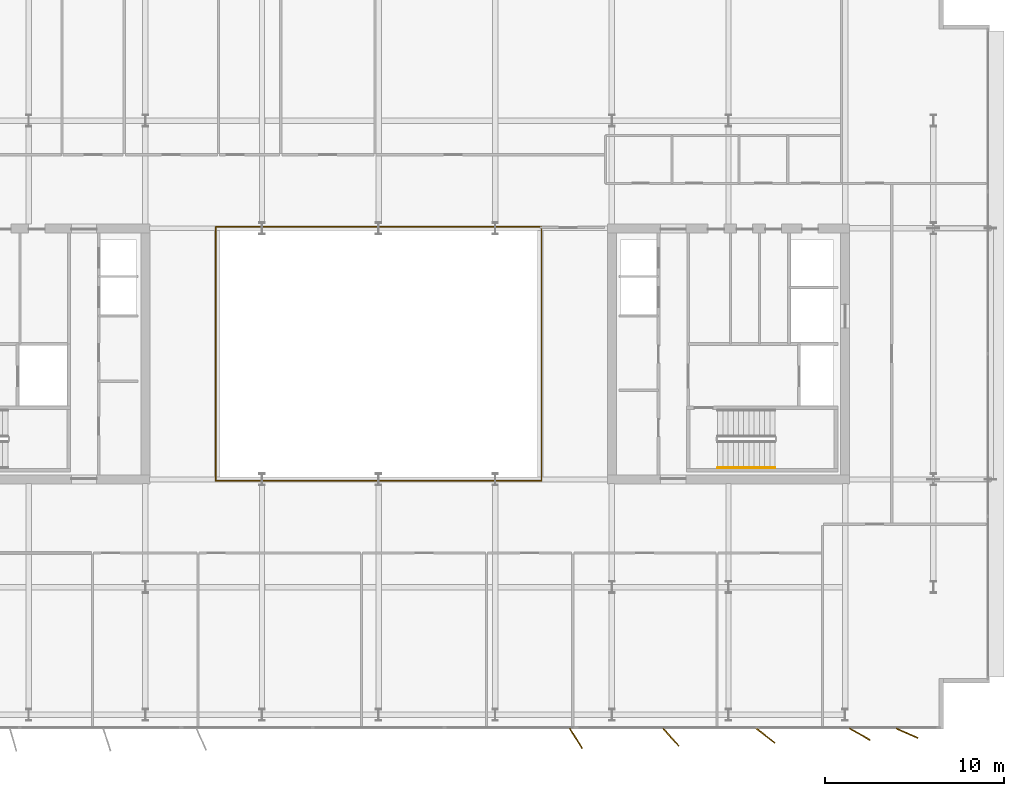
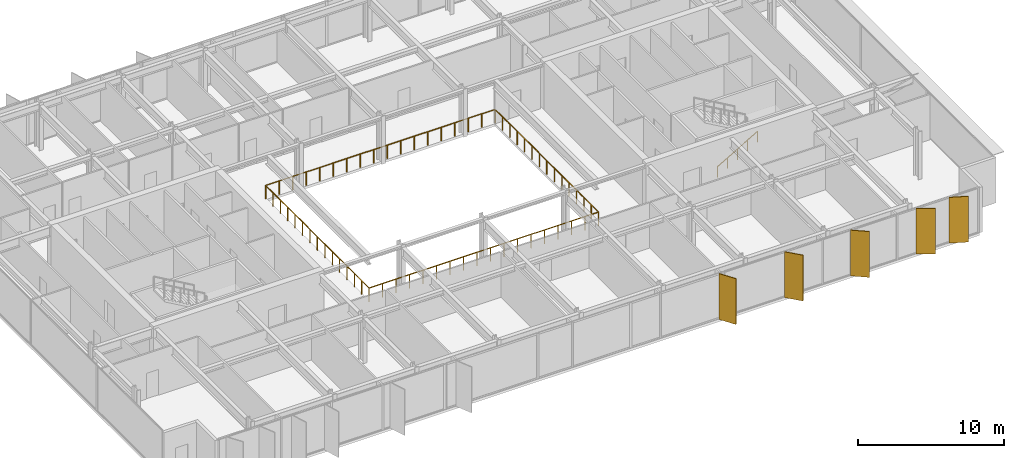
# One storey, part 18 of 20: 5 shading devices, 3 railings.
"""IFC4 building model written with IfcOpenShell, lengths in metres."""

from ifc_helpers import new_model, si_unit, direction, frame, origin, origin_2d, place, context, subcontext, project, spatial, rectangle, circle, extrude, material, layer, layer_set, type_object, element, save


model = new_model("IFC4")

# Units and contexts
model_context = context("Model", 3, precision=1e-05, world=origin(), true_north=direction((0.0, 1.0)))
body_context = subcontext(model_context, "Body", "Model", "MODEL_VIEW")
ifc_project = project(units=[si_unit("LENGTHUNIT", "METRE"), si_unit("AREAUNIT", "SQUARE_METRE"), si_unit("VOLUMEUNIT", "CUBIC_METRE"), si_unit("PLANEANGLEUNIT", "RADIAN"), si_unit("MASSUNIT", "GRAM", prefix="KILO")], contexts=[model_context])

# Site, building, storey
site_placement = place(None, origin())
site = spatial("IfcSite", under=ifc_project, at=site_placement, CompositionType="ELEMENT")
building_placement = place(site_placement, origin())
building = spatial("IfcBuilding", under=site, at=building_placement, Name="Putna Gate Headquarters", CompositionType="ELEMENT")
storey_placement = place(building_placement, frame((0.0, 0.0, 286.39990234375)))
storey = spatial("IfcBuildingStorey", under=building, at=storey_placement, Name="L72", CompositionType="ELEMENT", Elevation=286.39990234375)

# Railings
ifc_material_1 = material(Name="Anodised bronze and laminated glass atrium balustrade", Category="glass")
railing_type_1 = type_object("IfcRailingType", Name="RAIL-ATRIUM-GUARD-1150", PredefinedType="GUARDRAIL", material=ifc_material_1)
railing_1_placement = place(storey_placement, frame((29.919921875, 25.969970703125, 0.0)))
element("IfcRailing", 1, at=railing_1_placement, inside=storey, type_object=railing_type_1, Name="L72 Central Atrium Glazed Balustrade South", PredefinedType="GUARDRAIL", context=body_context, shape_type="SweptSolid", body=[
    extrude(circle(Radius=0.02392578125, at=origin_2d()), frame((0.0, 0.0, 1.1259765625), z_axis=(0.0, -1.0, 0.0), x_axis=(1.0, 0.0, 0.0)), (0.0, 0.0, 1.0), 7.050048828125),
    extrude(circle(Radius=0.02392578125, at=origin_2d()), frame((0.0, -7.050048828125, 1.1259765625), z_axis=(1.0, 0.0, 0.0), x_axis=(0.0, 1.0, 0.0)), (0.0, 0.0, 1.0), 18.16015625),
    extrude(circle(Radius=0.02392578125, at=origin_2d()), frame((18.16015625, -7.050048828125, 1.1259765625), z_axis=(0.0, 1.0, 0.0), x_axis=(-1.0, 0.0, 0.0)), (0.0, 0.0, 1.0), 7.050048828125),
    extrude(circle(Radius=0.02099609375, at=origin_2d()), origin(), (0.0, 0.0, 1.0), 1.101806640625),
    extrude(circle(Radius=0.02099609375, at=origin_2d()), frame((0.0, -1.007080078125, 0.0)), (0.0, 0.0, 1.0), 1.101806640625),
    extrude(circle(Radius=0.02099609375, at=origin_2d()), frame((0.0, -2.014404296875, 0.0)), (0.0, 0.0, 1.0), 1.101806640625),
    extrude(circle(Radius=0.02099609375, at=origin_2d()), frame((0.0, -3.021484375, 0.0)), (0.0, 0.0, 1.0), 1.101806640625),
    extrude(circle(Radius=0.02099609375, at=origin_2d()), frame((0.0, -4.028564453125, 0.0)), (0.0, 0.0, 1.0), 1.101806640625),
    extrude(circle(Radius=0.02099609375, at=origin_2d()), frame((0.0, -5.03564453125, 0.0)), (0.0, 0.0, 1.0), 1.101806640625),
    extrude(circle(Radius=0.02099609375, at=origin_2d()), frame((0.0, -6.04296875, 0.0)), (0.0, 0.0, 1.0), 1.101806640625),
    extrude(circle(Radius=0.02099609375, at=origin_2d()), frame((0.0, -7.050048828125, 0.0)), (0.0, 0.0, 1.0), 1.101806640625),
    extrude(circle(Radius=0.02099609375, at=origin_2d()), frame((1.068359375, -7.050048828125, 0.0)), (0.0, 0.0, 1.0), 1.101806640625),
    extrude(circle(Radius=0.02099609375, at=origin_2d()), frame((2.136474609375, -7.050048828125, 0.0)), (0.0, 0.0, 1.0), 1.101806640625),
    extrude(circle(Radius=0.02099609375, at=origin_2d()), frame((3.204833984375, -7.050048828125, 0.0)), (0.0, 0.0, 1.0), 1.101806640625),
    extrude(circle(Radius=0.02099609375, at=origin_2d()), frame((4.27294921875, -7.050048828125, 0.0)), (0.0, 0.0, 1.0), 1.101806640625),
    extrude(circle(Radius=0.02099609375, at=origin_2d()), frame((5.34130859375, -7.050048828125, 0.0)), (0.0, 0.0, 1.0), 1.101806640625),
    extrude(circle(Radius=0.02099609375, at=origin_2d()), frame((6.409423828125, -7.050048828125, 0.0)), (0.0, 0.0, 1.0), 1.101806640625),
    extrude(circle(Radius=0.02099609375, at=origin_2d()), frame((7.477783203125, -7.050048828125, 0.0)), (0.0, 0.0, 1.0), 1.101806640625),
    extrude(circle(Radius=0.02099609375, at=origin_2d()), frame((8.5458984375, -7.050048828125, 0.0)), (0.0, 0.0, 1.0), 1.101806640625),
    extrude(circle(Radius=0.02099609375, at=origin_2d()), frame((9.6142578125, -7.050048828125, 0.0)), (0.0, 0.0, 1.0), 1.101806640625),
    extrude(circle(Radius=0.02099609375, at=origin_2d()), frame((10.682373046875, -7.050048828125, 0.0)), (0.0, 0.0, 1.0), 1.101806640625),
    extrude(circle(Radius=0.02099609375, at=origin_2d()), frame((11.750732421875, -7.050048828125, 0.0)), (0.0, 0.0, 1.0), 1.101806640625),
    extrude(circle(Radius=0.02099609375, at=origin_2d()), frame((12.81884765625, -7.050048828125, 0.0)), (0.0, 0.0, 1.0), 1.101806640625),
    extrude(circle(Radius=0.02099609375, at=origin_2d()), frame((13.88720703125, -7.050048828125, 0.0)), (0.0, 0.0, 1.0), 1.101806640625),
    extrude(circle(Radius=0.02099609375, at=origin_2d()), frame((14.955322265625, -7.050048828125, 0.0)), (0.0, 0.0, 1.0), 1.101806640625),
    extrude(circle(Radius=0.02099609375, at=origin_2d()), frame((16.023681640625, -7.050048828125, 0.0)), (0.0, 0.0, 1.0), 1.101806640625),
    extrude(circle(Radius=0.02099609375, at=origin_2d()), frame((17.091796875, -7.050048828125, 0.0)), (0.0, 0.0, 1.0), 1.101806640625),
    extrude(circle(Radius=0.02099609375, at=origin_2d()), frame((18.16015625, -7.050048828125, 0.0)), (0.0, 0.0, 1.0), 1.101806640625),
    extrude(circle(Radius=0.02099609375, at=origin_2d()), frame((18.16015625, -6.04296875, 0.0)), (0.0, 0.0, 1.0), 1.101806640625),
    extrude(circle(Radius=0.02099609375, at=origin_2d()), frame((18.16015625, -5.03564453125, 0.0)), (0.0, 0.0, 1.0), 1.101806640625),
    extrude(circle(Radius=0.02099609375, at=origin_2d()), frame((18.16015625, -4.028564453125, 0.0)), (0.0, 0.0, 1.0), 1.101806640625),
    extrude(circle(Radius=0.02099609375, at=origin_2d()), frame((18.16015625, -3.021484375, 0.0)), (0.0, 0.0, 1.0), 1.101806640625),
    extrude(circle(Radius=0.02099609375, at=origin_2d()), frame((18.16015625, -2.014404296875, 0.0)), (0.0, 0.0, 1.0), 1.101806640625),
    extrude(circle(Radius=0.02099609375, at=origin_2d()), frame((18.16015625, -1.007080078125, 0.0)), (0.0, 0.0, 1.0), 1.101806640625),
    extrude(circle(Radius=0.02099609375, at=origin_2d()), frame((18.16015625, 0.0, 0.0)), (0.0, 0.0, 1.0), 1.101806640625),
])
railing_2_placement = place(storey_placement, frame((48.080078125, 26.030029296875, 0.0)))
element("IfcRailing", 2, at=railing_2_placement, inside=storey, type_object=railing_type_1, Name="L72 Central Atrium Glazed Balustrade North", PredefinedType="GUARDRAIL", context=body_context, shape_type="SweptSolid", body=[
    extrude(circle(Radius=0.02392578125, at=origin_2d()), frame((0.0, 0.0, 1.1259765625), z_axis=(0.0, 1.0, 0.0), x_axis=(-1.0, 0.0, 0.0)), (0.0, 0.0, 1.0), 7.050048828125),
    extrude(circle(Radius=0.02392578125, at=origin_2d()), frame((0.0, 7.050048828125, 1.1259765625), z_axis=(-1.0, 0.0, 0.0), x_axis=(0.0, -1.0, 0.0)), (0.0, 0.0, 1.0), 18.16015625),
    extrude(circle(Radius=0.02392578125, at=origin_2d()), frame((-18.16015625, 7.050048828125, 1.1259765625), z_axis=(0.0, -1.0, 0.0), x_axis=(1.0, 0.0, 0.0)), (0.0, 0.0, 1.0), 7.050048828125),
    extrude(circle(Radius=0.02099609375, at=origin_2d()), origin(), (0.0, 0.0, 1.0), 1.101806640625),
    extrude(circle(Radius=0.02099609375, at=origin_2d()), frame((0.0, 1.007080078125, 0.0)), (0.0, 0.0, 1.0), 1.101806640625),
    extrude(circle(Radius=0.02099609375, at=origin_2d()), frame((0.0, 2.014404296875, 0.0)), (0.0, 0.0, 1.0), 1.101806640625),
    extrude(circle(Radius=0.02099609375, at=origin_2d()), frame((0.0, 3.021484375, 0.0)), (0.0, 0.0, 1.0), 1.101806640625),
    extrude(circle(Radius=0.02099609375, at=origin_2d()), frame((0.0, 4.028564453125, 0.0)), (0.0, 0.0, 1.0), 1.101806640625),
    extrude(circle(Radius=0.02099609375, at=origin_2d()), frame((0.0, 5.03564453125, 0.0)), (0.0, 0.0, 1.0), 1.101806640625),
    extrude(circle(Radius=0.02099609375, at=origin_2d()), frame((0.0, 6.04296875, 0.0)), (0.0, 0.0, 1.0), 1.101806640625),
    extrude(circle(Radius=0.02099609375, at=origin_2d()), frame((0.0, 7.050048828125, 0.0)), (0.0, 0.0, 1.0), 1.101806640625),
    extrude(circle(Radius=0.02099609375, at=origin_2d()), frame((-1.068359375, 7.050048828125, 0.0)), (0.0, 0.0, 1.0), 1.101806640625),
    extrude(circle(Radius=0.02099609375, at=origin_2d()), frame((-2.136474609375, 7.050048828125, 0.0)), (0.0, 0.0, 1.0), 1.101806640625),
    extrude(circle(Radius=0.02099609375, at=origin_2d()), frame((-3.204833984375, 7.050048828125, 0.0)), (0.0, 0.0, 1.0), 1.101806640625),
    extrude(circle(Radius=0.02099609375, at=origin_2d()), frame((-4.27294921875, 7.050048828125, 0.0)), (0.0, 0.0, 1.0), 1.101806640625),
    extrude(circle(Radius=0.02099609375, at=origin_2d()), frame((-5.34130859375, 7.050048828125, 0.0)), (0.0, 0.0, 1.0), 1.101806640625),
    extrude(circle(Radius=0.02099609375, at=origin_2d()), frame((-6.409423828125, 7.050048828125, 0.0)), (0.0, 0.0, 1.0), 1.101806640625),
    extrude(circle(Radius=0.02099609375, at=origin_2d()), frame((-7.477783203125, 7.050048828125, 0.0)), (0.0, 0.0, 1.0), 1.101806640625),
    extrude(circle(Radius=0.02099609375, at=origin_2d()), frame((-8.5458984375, 7.050048828125, 0.0)), (0.0, 0.0, 1.0), 1.101806640625),
    extrude(circle(Radius=0.02099609375, at=origin_2d()), frame((-9.6142578125, 7.050048828125, 0.0)), (0.0, 0.0, 1.0), 1.101806640625),
    extrude(circle(Radius=0.02099609375, at=origin_2d()), frame((-10.682373046875, 7.050048828125, 0.0)), (0.0, 0.0, 1.0), 1.101806640625),
    extrude(circle(Radius=0.02099609375, at=origin_2d()), frame((-11.750732421875, 7.050048828125, 0.0)), (0.0, 0.0, 1.0), 1.101806640625),
    extrude(circle(Radius=0.02099609375, at=origin_2d()), frame((-12.81884765625, 7.050048828125, 0.0)), (0.0, 0.0, 1.0), 1.101806640625),
    extrude(circle(Radius=0.02099609375, at=origin_2d()), frame((-13.88720703125, 7.050048828125, 0.0)), (0.0, 0.0, 1.0), 1.101806640625),
    extrude(circle(Radius=0.02099609375, at=origin_2d()), frame((-14.955322265625, 7.050048828125, 0.0)), (0.0, 0.0, 1.0), 1.101806640625),
    extrude(circle(Radius=0.02099609375, at=origin_2d()), frame((-16.023681640625, 7.050048828125, 0.0)), (0.0, 0.0, 1.0), 1.101806640625),
    extrude(circle(Radius=0.02099609375, at=origin_2d()), frame((-17.091796875, 7.050048828125, 0.0)), (0.0, 0.0, 1.0), 1.101806640625),
    extrude(circle(Radius=0.02099609375, at=origin_2d()), frame((-18.16015625, 7.050048828125, 0.0)), (0.0, 0.0, 1.0), 1.101806640625),
    extrude(circle(Radius=0.02099609375, at=origin_2d()), frame((-18.16015625, 6.04296875, 0.0)), (0.0, 0.0, 1.0), 1.101806640625),
    extrude(circle(Radius=0.02099609375, at=origin_2d()), frame((-18.16015625, 5.03564453125, 0.0)), (0.0, 0.0, 1.0), 1.101806640625),
    extrude(circle(Radius=0.02099609375, at=origin_2d()), frame((-18.16015625, 4.028564453125, 0.0)), (0.0, 0.0, 1.0), 1.101806640625),
    extrude(circle(Radius=0.02099609375, at=origin_2d()), frame((-18.16015625, 3.021484375, 0.0)), (0.0, 0.0, 1.0), 1.101806640625),
    extrude(circle(Radius=0.02099609375, at=origin_2d()), frame((-18.16015625, 2.014404296875, 0.0)), (0.0, 0.0, 1.0), 1.101806640625),
    extrude(circle(Radius=0.02099609375, at=origin_2d()), frame((-18.16015625, 1.007080078125, 0.0)), (0.0, 0.0, 1.0), 1.101806640625),
    extrude(circle(Radius=0.02099609375, at=origin_2d()), frame((-18.16015625, 0.0, 0.0)), (0.0, 0.0, 1.0), 1.101806640625),
])
ifc_material_2 = material(Name="Brushed stainless steel handrail", Category="steel")
railing_type_2 = type_object("IfcRailingType", Name="RAIL-STAIR-HAND-900", PredefinedType="HANDRAIL", material=ifc_material_2)
railing_3_placement = place(storey_placement, frame((57.89990234375, 19.64990234375, 0.166748046875)))
element("IfcRailing", 3, at=railing_3_placement, inside=storey, type_object=railing_type_2, Name="L72 ST2 stair handrail 1", PredefinedType="HANDRAIL", context=body_context, shape_type="SweptSolid", body=[
    extrude(circle(Radius=0.02392578125, at=origin_2d()), frame((0.0, 0.0, 0.8759765625), z_axis=(0.8670360191, 0.0, 0.498245463184), x_axis=(0.0, 1.0, 0.0)), (0.0, 0.0, 1.0), 3.679443359375),
    extrude(circle(Radius=0.02099609375, at=origin_2d()), origin(), (0.0, 0.0, 1.0), 0.851806640625),
    extrude(circle(Radius=0.02099609375, at=origin_2d()), frame((0.797607421875, 0.0, 0.458251953125)), (0.0, 0.0, 1.0), 0.851806640625),
    extrude(circle(Radius=0.02099609375, at=origin_2d()), frame((1.59521484375, 0.0, 0.91650390625)), (0.0, 0.0, 1.0), 0.851806640625),
    extrude(circle(Radius=0.02099609375, at=origin_2d()), frame((2.392578125, 0.0, 1.375)), (0.0, 0.0, 1.0), 0.851806640625),
    extrude(circle(Radius=0.02099609375, at=origin_2d()), frame((3.190185546875, 0.0, 1.833251953125)), (0.0, 0.0, 1.0), 0.851806640625),
])

# Shading devices
ifc_material_3 = material(Name="Anodised architectural bronze aluminium fin", Category="aluminium")
ifc_layer = layer(ifc_material_3, 0.06494140625)
ifc_layer_set = layer_set([ifc_layer], Name="Anodised architectural bronze aluminium fin")
shading_device_type = type_object("IfcShadingDeviceType", Name="SHADE-BRONZE-FIN-1320", PredefinedType="USERDEFINED", material=ifc_layer_set)
for number, where, z_axis, x_axis, name in (
    (4, (50.000244140625, 4.565673828125, -0.02001953125), (0.0, 0.0, 1.0), (0.530659123936, -0.847585331506, 0.0), "L72 Bronze Vertical Shading Fin S7"),
    (5, (55.29150390625, 4.634521484375, -0.02001953125), (0.0, 0.0, 1.0), (0.669130606359, -0.743144825477, 0.0), "L72 Bronze Vertical Shading Fin S8"),
    (6, (60.569580078125, 4.71826171875, -0.02001953125), (0.0, 0.0, 1.0), (0.787473187632, -0.616348909921, 0.0), "L72 Bronze Vertical Shading Fin S9"),
    (7, (65.82373046875, 4.798828125, -0.02001953125), (0.0, 0.0, 1.0), (0.869322458298, -0.494245347472, 0.0), "L72 Bronze Vertical Shading Fin S10"),
    (8, (68.452880859375, 4.856689453125, -0.02001953125), (0.0, 0.0, 1.0), (0.913687379856, -0.40641773078, 0.0), "L72 Bronze Vertical Shading Fin S11"),
):
    element("IfcShadingDevice", number, at=place(storey_placement, frame(where, z_axis=z_axis, x_axis=x_axis)), inside=storey, type_object=shading_device_type, Name=name, ObjectType="FIN", PredefinedType="USERDEFINED", context=body_context, shape_type="SweptSolid", body=[
        extrude(rectangle(XDim=1.320068359375, YDim=0.06494140625, at=origin_2d()), origin(), (0.0, 0.0, 1.0), 3.827880859375),
    ])

save(model, "model.ifc")
